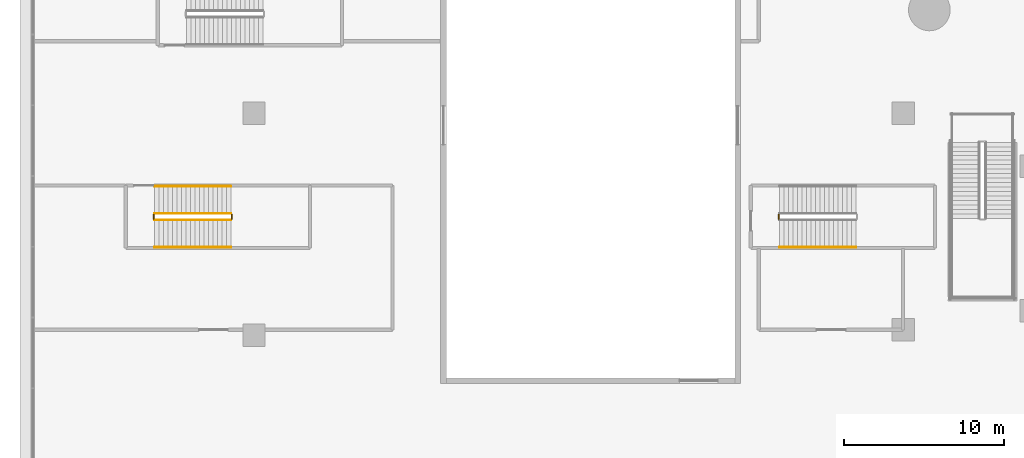
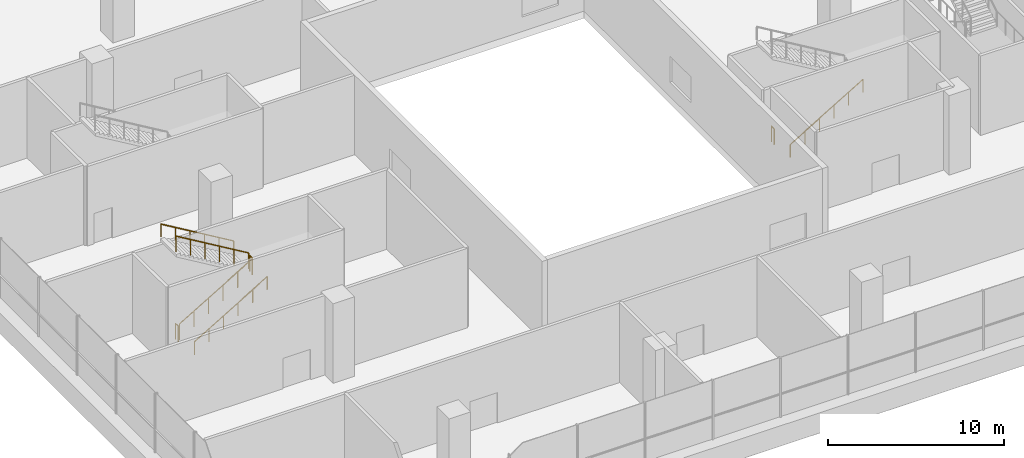
# One storey, part 39 of 52: 8 railings.
"""IFC4 building model written with IfcOpenShell, lengths in metres."""

from ifc_helpers import new_model, si_unit, direction, frame, origin, origin_2d, place, context, subcontext, project, spatial, circle, extrude, material, type_object, element, save


model = new_model("IFC4")

# Units and contexts
model_context = context("Model", 3, precision=1e-05, world=origin(), true_north=direction((0.0, 1.0)))
body_context = subcontext(model_context, "Body", "Model", "MODEL_VIEW")
ifc_project = project(units=[si_unit("LENGTHUNIT", "METRE"), si_unit("AREAUNIT", "SQUARE_METRE"), si_unit("VOLUMEUNIT", "CUBIC_METRE"), si_unit("PLANEANGLEUNIT", "RADIAN"), si_unit("MASSUNIT", "GRAM", prefix="KILO")], contexts=[model_context])

# Site, building, storey
site_placement = place(None, origin())
site = spatial("IfcSite", under=ifc_project, at=site_placement, CompositionType="ELEMENT")
building_placement = place(site_placement, origin())
building = spatial("IfcBuilding", under=site, at=building_placement, Name="Tamarind Cross Interchange Tower", CompositionType="ELEMENT")
storey_placement = place(building_placement, frame((0.0, 0.0, 9.0)))
storey = spatial("IfcBuildingStorey", under=building, at=storey_placement, Name="L01", CompositionType="ELEMENT", Elevation=9.0)

# Railings
ifc_material_1 = material(Name="Public stair guard")
railing_type_1 = type_object("IfcRailingType", Name="Public stair guard", PredefinedType="GUARDRAIL", material=ifc_material_1)
railing_1_placement = place(storey_placement, frame((-60.199951171875, -33.64990234375, 0.166748046875)))
element("IfcRailing", 1, at=railing_1_placement, inside=storey, type_object=railing_type_1, Name="L01 XS-P07 stair guard 1", PredefinedType="GUARDRAIL", context=body_context, shape_type="SweptSolid", body=[
    extrude(circle(Radius=0.02392578125, at=origin_2d()), frame((0.0, 0.0, 1.076171875), z_axis=(0.859299802514, 0.0, 0.511472237174), x_axis=(0.0, 1.0, 0.0)), (0.0, 0.0, 1.0), 5.539306640625),
    extrude(circle(Radius=0.02099609375, at=origin_2d()), origin(), (0.0, 0.0, 1.0), 1.052001953125),
    extrude(circle(Radius=0.02099609375, at=origin_2d()), frame((0.951904296875, 0.0, 0.566650390625)), (0.0, 0.0, 1.0), 1.052001953125),
    extrude(circle(Radius=0.02099609375, at=origin_2d()), frame((1.904052734375, 0.0, 1.13330078125)), (0.0, 0.0, 1.0), 1.052001953125),
    extrude(circle(Radius=0.02099609375, at=origin_2d()), frame((2.85595703125, 0.0, 1.699951171875)), (0.0, 0.0, 1.0), 1.052001953125),
    extrude(circle(Radius=0.02099609375, at=origin_2d()), frame((3.80810546875, 0.0, 2.2666015625)), (0.0, 0.0, 1.0), 1.052001953125),
    extrude(circle(Radius=0.02099609375, at=origin_2d()), frame((4.760009765625, 0.0, 2.833251953125)), (0.0, 0.0, 1.0), 1.052001953125),
])
railing_2_placement = place(storey_placement, frame((-55.389892578125, -33.60009765625, 3.0)))
element("IfcRailing", 2, at=railing_2_placement, inside=storey, type_object=railing_type_1, Name="L01 XS-P07 stair guard 2", PredefinedType="GUARDRAIL", context=body_context, shape_type="SweptSolid", body=[
    extrude(circle(Radius=0.02392578125, at=origin_2d()), frame((0.0, 0.0, 1.076171875), z_axis=(0.0, 1.0, 0.0), x_axis=(-1.0, 0.0, 0.0)), (0.0, 0.0, 1.0), 0.300048828125),
    extrude(circle(Radius=0.02099609375, at=origin_2d()), origin(), (0.0, 0.0, 1.0), 1.052001953125),
    extrude(circle(Radius=0.02099609375, at=origin_2d()), frame((0.0, 0.300048828125, 0.0)), (0.0, 0.0, 1.0), 1.052001953125),
])
railing_3_placement = place(storey_placement, frame((-55.43994140625, -33.25, 3.166748046875)))
element("IfcRailing", 3, at=railing_3_placement, inside=storey, type_object=railing_type_1, Name="L01 XS-P07 stair guard 3", PredefinedType="GUARDRAIL", context=body_context, shape_type="SweptSolid", body=[
    extrude(circle(Radius=0.02392578125, at=origin_2d()), frame((0.0, 0.0, 1.076171875), z_axis=(-0.859299802514, 0.0, 0.511472237174), x_axis=(0.0, -1.0, 0.0)), (0.0, 0.0, 1.0), 5.539306640625),
    extrude(circle(Radius=0.02099609375, at=origin_2d()), origin(), (0.0, 0.0, 1.0), 1.052001953125),
    extrude(circle(Radius=0.02099609375, at=origin_2d()), frame((-0.951904296875, 0.0, 0.566650390625)), (0.0, 0.0, 1.0), 1.052001953125),
    extrude(circle(Radius=0.02099609375, at=origin_2d()), frame((-1.904052734375, 0.0, 1.13330078125)), (0.0, 0.0, 1.0), 1.052001953125),
    extrude(circle(Radius=0.02099609375, at=origin_2d()), frame((-2.85595703125, 0.0, 1.699951171875)), (0.0, 0.0, 1.0), 1.052001953125),
    extrude(circle(Radius=0.02099609375, at=origin_2d()), frame((-3.80810546875, 0.0, 2.2666015625)), (0.0, 0.0, 1.0), 1.052001953125),
    extrude(circle(Radius=0.02099609375, at=origin_2d()), frame((-4.760009765625, 0.0, 2.833251953125)), (0.0, 0.0, 1.0), 1.052001953125),
])
for number, where, name in (
    (4, (-60.25, -33.60009765625, 0.0), "L01 XS-P07 stair guard 4"),
    (5, (-21.25, -33.60009765625, 0.0), "L01 XS-P09 stair guard 4"),
):
    element("IfcRailing", number, at=place(storey_placement, frame(where)), inside=storey, type_object=railing_type_1, Name=name, PredefinedType="GUARDRAIL", context=body_context, shape_type="SweptSolid", body=[
        extrude(circle(Radius=0.02392578125, at=origin_2d()), frame((0.0, 0.0, 1.076171875), z_axis=(0.0, 1.0, 0.0), x_axis=(-1.0, 0.0, 0.0)), (0.0, 0.0, 1.0), 0.300048828125),
        extrude(circle(Radius=0.02099609375, at=origin_2d()), origin(), (0.0, 0.0, 1.0), 1.052001953125),
        extrude(circle(Radius=0.02099609375, at=origin_2d()), frame((0.0, 0.300048828125, 0.0)), (0.0, 0.0, 1.0), 1.052001953125),
    ])
ifc_material_2 = material(Name="Public stair handrail")
railing_type_2 = type_object("IfcRailingType", Name="Public stair handrail", PredefinedType="HANDRAIL", material=ifc_material_2)
railing_4_placement = place(storey_placement, frame((-60.199951171875, -35.35009765625, 0.166748046875)))
element("IfcRailing", 6, at=railing_4_placement, inside=storey, type_object=railing_type_2, Name="L01 XS-P07 stair handrail 1", PredefinedType="HANDRAIL", context=body_context, shape_type="SweptSolid", body=[
    extrude(circle(Radius=0.02392578125, at=origin_2d()), frame((0.0, 0.0, 0.8759765625), z_axis=(0.859299802514, 0.0, 0.511472237174), x_axis=(0.0, 1.0, 0.0)), (0.0, 0.0, 1.0), 5.539306640625),
    extrude(circle(Radius=0.02099609375, at=origin_2d()), origin(), (0.0, 0.0, 1.0), 0.851806640625),
    extrude(circle(Radius=0.02099609375, at=origin_2d()), frame((0.951904296875, 0.0, 0.566650390625)), (0.0, 0.0, 1.0), 0.851806640625),
    extrude(circle(Radius=0.02099609375, at=origin_2d()), frame((1.904052734375, 0.0, 1.13330078125)), (0.0, 0.0, 1.0), 0.851806640625),
    extrude(circle(Radius=0.02099609375, at=origin_2d()), frame((2.85595703125, 0.0, 1.699951171875)), (0.0, 0.0, 1.0), 0.851806640625),
    extrude(circle(Radius=0.02099609375, at=origin_2d()), frame((3.80810546875, 0.0, 2.2666015625)), (0.0, 0.0, 1.0), 0.851806640625),
    extrude(circle(Radius=0.02099609375, at=origin_2d()), frame((4.760009765625, 0.0, 2.833251953125)), (0.0, 0.0, 1.0), 0.851806640625),
])
railing_5_placement = place(storey_placement, frame((-55.43994140625, -31.550048828125, 3.166748046875)))
element("IfcRailing", 7, at=railing_5_placement, inside=storey, type_object=railing_type_2, Name="L01 XS-P07 stair handrail 2", PredefinedType="HANDRAIL", context=body_context, shape_type="SweptSolid", body=[
    extrude(circle(Radius=0.02392578125, at=origin_2d()), frame((0.0, 0.0, 0.8759765625), z_axis=(-0.859299802514, 0.0, 0.511472237174), x_axis=(0.0, -1.0, 0.0)), (0.0, 0.0, 1.0), 5.539306640625),
    extrude(circle(Radius=0.02099609375, at=origin_2d()), origin(), (0.0, 0.0, 1.0), 0.851806640625),
    extrude(circle(Radius=0.02099609375, at=origin_2d()), frame((-0.951904296875, 0.0, 0.566650390625)), (0.0, 0.0, 1.0), 0.851806640625),
    extrude(circle(Radius=0.02099609375, at=origin_2d()), frame((-1.904052734375, 0.0, 1.13330078125)), (0.0, 0.0, 1.0), 0.851806640625),
    extrude(circle(Radius=0.02099609375, at=origin_2d()), frame((-2.85595703125, 0.0, 1.699951171875)), (0.0, 0.0, 1.0), 0.851806640625),
    extrude(circle(Radius=0.02099609375, at=origin_2d()), frame((-3.80810546875, 0.0, 2.2666015625)), (0.0, 0.0, 1.0), 0.851806640625),
    extrude(circle(Radius=0.02099609375, at=origin_2d()), frame((-4.760009765625, 0.0, 2.833251953125)), (0.0, 0.0, 1.0), 0.851806640625),
])
railing_6_placement = place(storey_placement, frame((-21.199951171875, -35.35009765625, 0.166748046875)))
element("IfcRailing", 8, at=railing_6_placement, inside=storey, type_object=railing_type_2, Name="L01 XS-P09 stair handrail 1", PredefinedType="HANDRAIL", context=body_context, shape_type="SweptSolid", body=[
    extrude(circle(Radius=0.02392578125, at=origin_2d()), frame((0.0, 0.0, 0.8759765625), z_axis=(0.859299802514, 0.0, 0.511472237174), x_axis=(0.0, 1.0, 0.0)), (0.0, 0.0, 1.0), 5.539306640625),
    extrude(circle(Radius=0.02099609375, at=origin_2d()), origin(), (0.0, 0.0, 1.0), 0.851806640625),
    extrude(circle(Radius=0.02099609375, at=origin_2d()), frame((0.951904296875, 0.0, 0.566650390625)), (0.0, 0.0, 1.0), 0.851806640625),
    extrude(circle(Radius=0.02099609375, at=origin_2d()), frame((1.904052734375, 0.0, 1.13330078125)), (0.0, 0.0, 1.0), 0.851806640625),
    extrude(circle(Radius=0.02099609375, at=origin_2d()), frame((2.85595703125, 0.0, 1.699951171875)), (0.0, 0.0, 1.0), 0.851806640625),
    extrude(circle(Radius=0.02099609375, at=origin_2d()), frame((3.80810546875, 0.0, 2.2666015625)), (0.0, 0.0, 1.0), 0.851806640625),
    extrude(circle(Radius=0.02099609375, at=origin_2d()), frame((4.760009765625, 0.0, 2.833251953125)), (0.0, 0.0, 1.0), 0.851806640625),
])

save(model, "model.ifc")
